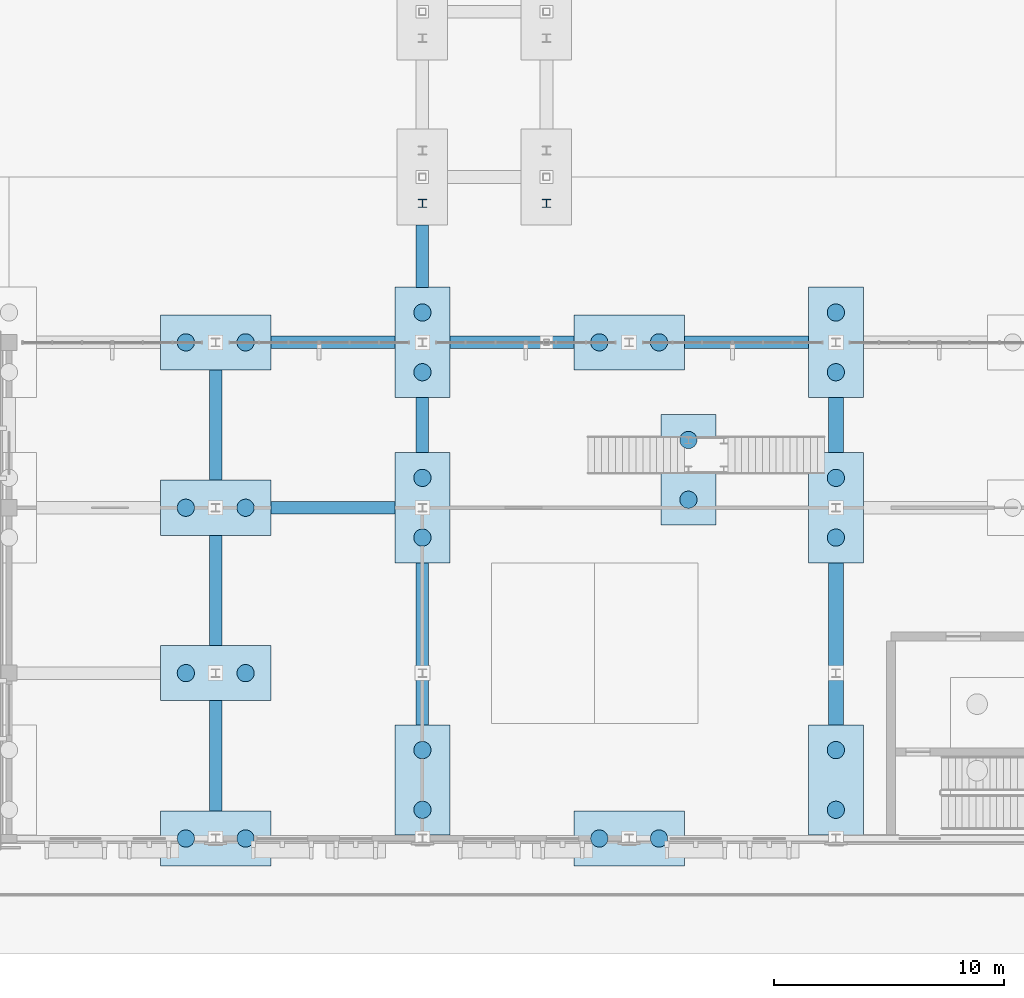
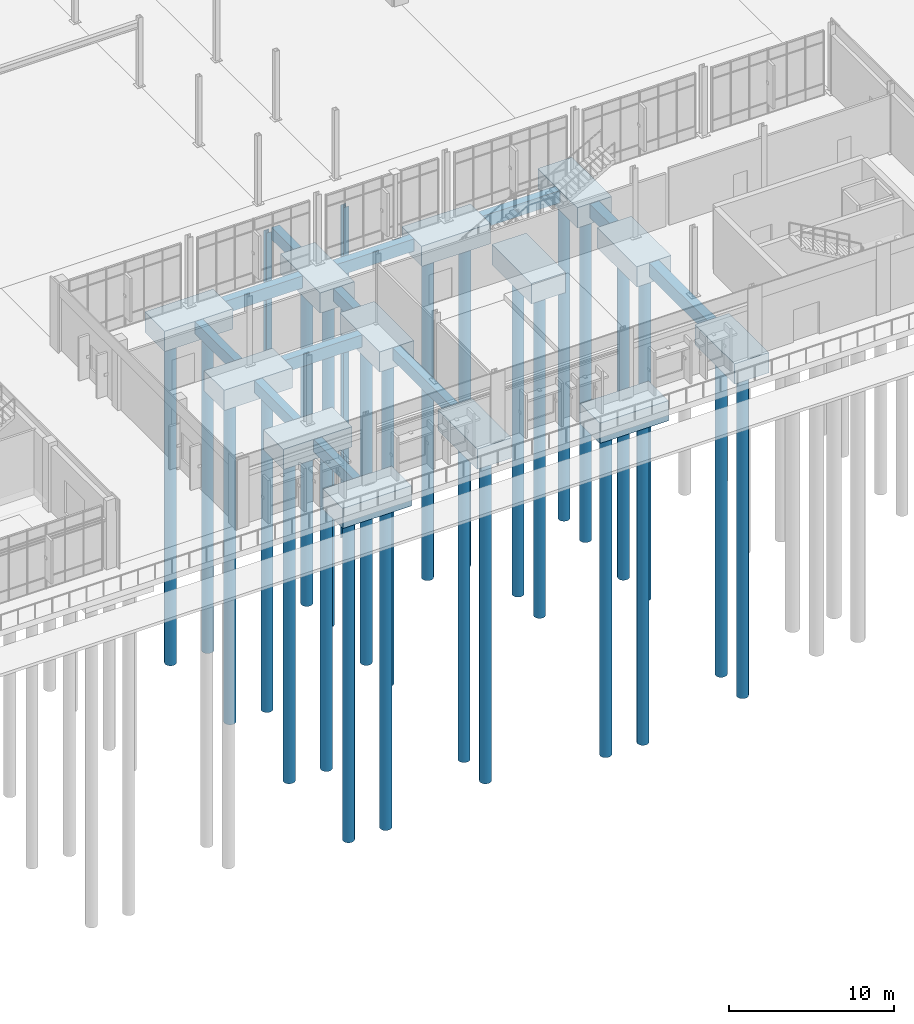
# One storey, part 4 of 94: 28 piles, 25 footings.
"""IFC4 building model written with IfcOpenShell, lengths in metres."""

from ifc_helpers import new_model, si_unit, direction, frame, origin, origin_2d, place, context, subcontext, project, spatial, rectangle, circle, i_section, extrude, material, material_profile, profile_set, type_object, element, save


model = new_model("IFC4")

# Units and contexts
model_context = context("Model", 3, precision=1e-05, world=origin(), true_north=direction((0.0, 1.0)))
body_context = subcontext(model_context, "Body", "Model", "MODEL_VIEW")
ifc_project = project(units=[si_unit("LENGTHUNIT", "METRE"), si_unit("AREAUNIT", "SQUARE_METRE"), si_unit("VOLUMEUNIT", "CUBIC_METRE"), si_unit("PLANEANGLEUNIT", "RADIAN"), si_unit("MASSUNIT", "GRAM", prefix="KILO")], contexts=[model_context])

# Site, building, storey
site_placement = place(None, origin())
site = spatial("IfcSite", under=ifc_project, at=site_placement, CompositionType="ELEMENT")
building_placement = place(site_placement, origin())
building = spatial("IfcBuilding", under=site, at=building_placement, Name="Vervanel Yard Central Library", CompositionType="ELEMENT")
storey_placement = place(building_placement, origin())
storey = spatial("IfcBuildingStorey", under=building, at=storey_placement, Name="L00", CompositionType="ELEMENT", Elevation=0.0)

# Piles
ifc_material_1 = material(Name="Concrete C40/50", Category="concrete")
ifc_material_profile_1 = material_profile(ifc_material_1, circle(Radius=0.375, at=origin_2d()), Name="BP D750", Category="concrete")
ifc_profile_set_1 = profile_set([ifc_material_profile_1], Name="Concrete C40/50")
pile_type_1 = type_object("IfcPileType", Name="Bored Concrete Pile D750", PredefinedType="BORED", material=ifc_profile_set_1)
for number, where, z_axis, x_axis, name in (
    (1, (72.0, 1.25, -1.75), (0.0, 0.0, -1.0), (1.0, 0.0, 0.0), "Bored Concrete Pile 491 under PCAP-143"),
    (2, (72.0, 3.85009765625, -1.75), (0.0, 0.0, -1.0), (1.0, 0.0, 0.0), "Bored Concrete Pile 492 under PCAP-143"),
    (3, (72.0, 13.10009765625, -1.75), (0.0, 0.0, -1.0), (1.0, 0.0, 0.0), "Bored Concrete Pile 493 under PCAP-144"),
    (4, (72.0, 15.699951171875, -1.75), (0.0, 0.0, -1.0), (1.0, 0.0, 0.0), "Bored Concrete Pile 494 under PCAP-144"),
    (5, (72.0, 20.300048828125, -1.75), (0.0, 0.0, -1.0), (1.0, 0.0, 0.0), "Bored Concrete Pile 495 under PCAP-145"),
    (6, (72.0, 22.89990234375, -1.75), (0.0, 0.0, -1.0), (1.0, 0.0, 0.0), "Bored Concrete Pile 496 under PCAP-145"),
    (7, (83.580078125, 14.75, -1.75), (0.0, 0.0, -1.0), (1.0, 0.0, 0.0), "Bored Concrete Pile 497 under PCAP-146"),
    (8, (83.580078125, 17.35009765625, -1.75), (0.0, 0.0, -1.0), (1.0, 0.0, 0.0), "Bored Concrete Pile 498 under PCAP-146"),
    (9, (90.0, 1.25, -1.75), (0.0, 0.0, -1.0), (1.0, 0.0, 0.0), "Bored Concrete Pile 499 under PCAP-147"),
    (10, (90.0, 3.85009765625, -1.75), (0.0, 0.0, -1.0), (1.0, 0.0, 0.0), "Bored Concrete Pile 500 under PCAP-147"),
    (11, (90.0, 13.10009765625, -1.75), (0.0, 0.0, -1.0), (1.0, 0.0, 0.0), "Bored Concrete Pile 501 under PCAP-148"),
    (12, (90.0, 15.699951171875, -1.75), (0.0, 0.0, -1.0), (1.0, 0.0, 0.0), "Bored Concrete Pile 502 under PCAP-148"),
    (13, (90.0, 20.300048828125, -1.75), (0.0, 0.0, -1.0), (1.0, 0.0, 0.0), "Bored Concrete Pile 503 under PCAP-149"),
    (14, (90.0, 22.89990234375, -1.75), (0.0, 0.0, -1.0), (1.0, 0.0, 0.0), "Bored Concrete Pile 504 under PCAP-149"),
    (15, (61.699951171875, 0.0, -1.75), (0.0, 0.0, -1.0), (1.0, 0.0, 0.0), "Bored Concrete Pile 585 under PCAP-190"),
    (16, (64.300048828125, 0.0, -1.75), (0.0, 0.0, -1.0), (1.0, 0.0, 0.0), "Bored Concrete Pile 586 under PCAP-190"),
    (17, (61.699951171875, 7.199951171875, -1.75), (0.0, 0.0, -1.0), (1.0, 0.0, 0.0), "Bored Concrete Pile 587 under PCAP-191"),
    (18, (64.300048828125, 7.199951171875, -1.75), (0.0, 0.0, -1.0), (1.0, 0.0, 0.0), "Bored Concrete Pile 588 under PCAP-191"),
    (19, (61.699951171875, 14.39990234375, -1.75), (0.0, 0.0, -1.0), (1.0, 0.0, 0.0), "Bored Concrete Pile 589 under PCAP-192"),
    (20, (64.300048828125, 14.39990234375, -1.75), (0.0, 0.0, -1.0), (1.0, 0.0, 0.0), "Bored Concrete Pile 590 under PCAP-192"),
    (21, (61.699951171875, 21.60009765625, -1.75), (0.0, 0.0, -1.0), (1.0, 0.0, 0.0), "Bored Concrete Pile 591 under PCAP-193"),
    (22, (64.300048828125, 21.60009765625, -1.75), (0.0, 0.0, -1.0), (1.0, 0.0, 0.0), "Bored Concrete Pile 592 under PCAP-193"),
    (23, (79.699951171875, 0.0, -1.75), (0.0, 0.0, -1.0), (1.0, 0.0, 0.0), "Bored Concrete Pile 593 under PCAP-194"),
    (24, (82.300048828125, 0.0, -1.75), (0.0, 0.0, -1.0), (1.0, 0.0, 0.0), "Bored Concrete Pile 594 under PCAP-194"),
    (25, (79.699951171875, 21.60009765625, -1.75), (0.0, 0.0, -1.0), (1.0, 0.0, 0.0), "Bored Concrete Pile 595 under PCAP-195"),
    (26, (82.300048828125, 21.60009765625, -1.75), (0.0, 0.0, -1.0), (1.0, 0.0, 0.0), "Bored Concrete Pile 596 under PCAP-195"),
):
    element("IfcPile", number, at=place(storey_placement, frame(where, z_axis=z_axis, x_axis=x_axis)), inside=storey, type_object=pile_type_1, Name=name, PredefinedType="BORED", context=body_context, shape_type="SweptSolid", body=[
        extrude(circle(Radius=0.375, at=origin_2d()), origin(), (0.0, 0.0, 1.0), 24.25),
    ])

# Footings
footing_type_1 = type_object("IfcFootingType", Name="Combined 2-Pile Cap 2400x4800x1500", PredefinedType="PILE_CAP", material=ifc_material_1)
for number, where, z_axis, x_axis, name in (
    (27, (72.0, 2.550048828125, -1.89990234375), (0.0, 0.0, 1.0), (1.0, 0.0, 0.0), "Combined Pile Cap PCAP-143 (PC-01)"),
    (28, (72.0, 14.39990234375, -1.89990234375), (0.0, 0.0, 1.0), (1.0, 0.0, 0.0), "Combined Pile Cap PCAP-144 (PC-01)"),
    (29, (72.0, 21.60009765625, -1.89990234375), (0.0, 0.0, 1.0), (1.0, 0.0, 0.0), "Combined Pile Cap PCAP-145 (PC-01)"),
    (30, (83.580078125, 16.050048828125, -1.89990234375), (0.0, 0.0, 1.0), (1.0, 0.0, 0.0), "Combined Pile Cap PCAP-146 (PC-01)"),
    (31, (90.0, 2.550048828125, -1.89990234375), (0.0, 0.0, 1.0), (1.0, 0.0, 0.0), "Combined Pile Cap PCAP-147 (PC-01)"),
    (32, (90.0, 14.39990234375, -1.89990234375), (0.0, 0.0, 1.0), (1.0, 0.0, 0.0), "Combined Pile Cap PCAP-148 (PC-01)"),
    (33, (90.0, 21.60009765625, -1.89990234375), (0.0, 0.0, 1.0), (1.0, 0.0, 0.0), "Combined Pile Cap PCAP-149 (PC-01)"),
):
    element("IfcFooting", number, at=place(storey_placement, frame(where, z_axis=z_axis, x_axis=x_axis)), inside=storey, type_object=footing_type_1, Name=name, PredefinedType="PILE_CAP", context=body_context, shape_type="SweptSolid", body=[
        extrude(rectangle(XDim=2.39990234375, YDim=4.800048828125, at=origin_2d()), origin(), (0.0, 0.0, 1.0), 1.5),
    ])
footing_type_2 = type_object("IfcFootingType", Name="Combined 2-Pile Cap 4800x2400x1500", PredefinedType="PILE_CAP", material=ifc_material_1)
for number, where, z_axis, x_axis, name in (
    (34, (63.0, 0.0, -1.89990234375), (0.0, 0.0, 1.0), (1.0, 0.0, 0.0), "Combined Pile Cap PCAP-190 (PC-02)"),
    (35, (63.0, 7.199951171875, -1.89990234375), (0.0, 0.0, 1.0), (1.0, 0.0, 0.0), "Combined Pile Cap PCAP-191 (PC-02)"),
    (36, (63.0, 14.39990234375, -1.89990234375), (0.0, 0.0, 1.0), (1.0, 0.0, 0.0), "Combined Pile Cap PCAP-192 (PC-02)"),
    (37, (63.0, 21.60009765625, -1.89990234375), (0.0, 0.0, 1.0), (1.0, 0.0, 0.0), "Combined Pile Cap PCAP-193 (PC-02)"),
    (38, (81.0, 0.0, -1.89990234375), (0.0, 0.0, 1.0), (1.0, 0.0, 0.0), "Combined Pile Cap PCAP-194 (PC-02)"),
    (39, (81.0, 21.60009765625, -1.89990234375), (0.0, 0.0, 1.0), (1.0, 0.0, 0.0), "Combined Pile Cap PCAP-195 (PC-02)"),
):
    element("IfcFooting", number, at=place(storey_placement, frame(where, z_axis=z_axis, x_axis=x_axis)), inside=storey, type_object=footing_type_2, Name=name, PredefinedType="PILE_CAP", context=body_context, shape_type="SweptSolid", body=[
        extrude(rectangle(XDim=4.800048828125, YDim=2.39990234375, at=origin_2d()), origin(), (0.0, 0.0, 1.0), 1.5),
    ])
ifc_material_profile_2 = material_profile(ifc_material_1, rectangle(XDim=0.550048828125, YDim=0.89990234375, at=origin_2d()), Name="RC 550x900", Category="concrete")
ifc_profile_set_2 = profile_set([ifc_material_profile_2], Name="Concrete C40/50")
footing_type_3 = type_object("IfcFootingType", Name="Concrete Footing Beam 550x900", PredefinedType="FOOTING_BEAM", material=ifc_profile_set_2)
for number, where, z_axis, x_axis, name in (
    (40, (65.39990234375, 14.39990234375, -0.8701171875), (1.0, 0.0, 0.0), (0.0, 1.0, 0.0), "Concrete Footing Beam FB-X-011"),
    (41, (65.39990234375, 21.60009765625, -0.8701171875), (1.0, 0.0, 0.0), (0.0, 1.0, 0.0), "Concrete Footing Beam FB-X-022"),
    (42, (73.199951171875, 21.60009765625, -0.8701171875), (1.0, 0.0, 0.0), (0.0, 1.0, 0.0), "Concrete Footing Beam FB-X-023"),
    (43, (83.39990234375, 21.60009765625, -0.8701171875), (1.0, 0.0, 0.0), (0.0, 1.0, 0.0), "Concrete Footing Beam FB-X-024"),
):
    element("IfcFooting", number, at=place(storey_placement, frame(where, z_axis=z_axis, x_axis=x_axis)), inside=storey, type_object=footing_type_3, Name=name, PredefinedType="FOOTING_BEAM", context=body_context, shape_type="SweptSolid", body=[
        extrude(rectangle(XDim=0.550048828125, YDim=0.89990234375, at=origin_2d()), origin(), (0.0, 0.0, 1.0), 5.400146484375),
    ])
for number, where, z_axis, x_axis, name in (
    (44, (63.0, 1.199951171875, -0.8701171875), (0.0, 1.0, 0.0), (-1.0, 0.0, 0.0), "Concrete Footing Beam FB-Y-207"),
    (45, (63.0, 8.39990234375, -0.8701171875), (0.0, 1.0, 0.0), (-1.0, 0.0, 0.0), "Concrete Footing Beam FB-Y-208"),
):
    element("IfcFooting", number, at=place(storey_placement, frame(where, z_axis=z_axis, x_axis=x_axis)), inside=storey, type_object=footing_type_3, Name=name, PredefinedType="FOOTING_BEAM", context=body_context, shape_type="SweptSolid", body=[
        extrude(rectangle(XDim=0.550048828125, YDim=0.89990234375, at=origin_2d()), origin(), (0.0, 0.0, 1.0), 4.800048828125),
    ])
footing_1_placement = place(storey_placement, frame((63.0, 15.60009765625, -0.8701171875), z_axis=(0.0, 1.0, 0.0), x_axis=(-1.0, 0.0, 0.0)))
element("IfcFooting", 46, at=footing_1_placement, inside=storey, type_object=footing_type_3, Name="Concrete Footing Beam FB-Y-209", PredefinedType="FOOTING_BEAM", context=body_context, shape_type="SweptSolid", body=[
    extrude(rectangle(XDim=0.550048828125, YDim=0.89990234375, at=origin_2d()), origin(), (0.0, 0.0, 1.0), 4.7998046875),
])
footing_2_placement = place(storey_placement, frame((72.0, 4.949951171875, -0.8701171875), z_axis=(0.0, 1.0, 0.0), x_axis=(-1.0, 0.0, 0.0)))
element("IfcFooting", 47, at=footing_2_placement, inside=storey, type_object=footing_type_3, Name="Concrete Footing Beam FB-Y-213", PredefinedType="FOOTING_BEAM", context=body_context, shape_type="SweptSolid", body=[
    extrude(rectangle(XDim=0.550048828125, YDim=0.89990234375, at=origin_2d()), origin(), (0.0, 0.0, 1.0), 7.050048828125),
])
footing_3_placement = place(storey_placement, frame((72.0, 16.800048828125, -0.8701171875), z_axis=(0.0, 1.0, 0.0), x_axis=(-1.0, 0.0, 0.0)))
element("IfcFooting", 48, at=footing_3_placement, inside=storey, type_object=footing_type_3, Name="Concrete Footing Beam FB-Y-214", PredefinedType="FOOTING_BEAM", context=body_context, shape_type="SweptSolid", body=[
    extrude(rectangle(XDim=0.550048828125, YDim=0.89990234375, at=origin_2d()), origin(), (0.0, 0.0, 1.0), 2.39990234375),
])
footing_4_placement = place(storey_placement, frame((72.0, 24.0, -0.8701171875), z_axis=(0.0, 1.0, 0.0), x_axis=(-1.0, 0.0, 0.0)))
element("IfcFooting", 49, at=footing_4_placement, inside=storey, type_object=footing_type_3, Name="Concrete Footing Beam FB-Y-215", PredefinedType="FOOTING_BEAM", context=body_context, shape_type="SweptSolid", body=[
    extrude(rectangle(XDim=0.550048828125, YDim=0.89990234375, at=origin_2d()), origin(), (0.0, 0.0, 1.0), 2.699951171875),
])
ifc_material_profile_3 = material_profile(ifc_material_1, rectangle(XDim=0.64990234375, YDim=1.0, at=origin_2d()), Name="RC 650x1000", Category="concrete")
ifc_profile_set_3 = profile_set([ifc_material_profile_3], Name="Concrete C40/50")
footing_type_4 = type_object("IfcFootingType", Name="Concrete Footing Beam 650x1000", PredefinedType="FOOTING_BEAM", material=ifc_profile_set_3)
footing_5_placement = place(storey_placement, frame((90.0, 4.949951171875, -0.919921875), z_axis=(0.0, 1.0, 0.0), x_axis=(-1.0, 0.0, 0.0)))
element("IfcFooting", 50, at=footing_5_placement, inside=storey, type_object=footing_type_4, Name="Concrete Footing Beam FB-Y-234", PredefinedType="FOOTING_BEAM", context=body_context, shape_type="SweptSolid", body=[
    extrude(rectangle(XDim=0.64990234375, YDim=1.0, at=origin_2d()), origin(), (0.0, 0.0, 1.0), 7.050048828125),
])
footing_6_placement = place(storey_placement, frame((90.0, 16.800048828125, -0.919921875), z_axis=(0.0, 1.0, 0.0), x_axis=(-1.0, 0.0, 0.0)))
element("IfcFooting", 51, at=footing_6_placement, inside=storey, type_object=footing_type_4, Name="Concrete Footing Beam FB-Y-235", PredefinedType="FOOTING_BEAM", context=body_context, shape_type="SweptSolid", body=[
    extrude(rectangle(XDim=0.64990234375, YDim=1.0, at=origin_2d()), origin(), (0.0, 0.0, 1.0), 2.39990234375),
])

# Piles
ifc_material_2 = material(Name="Steel ASTM A992 Grade 50", Category="steel")
ifc_material_profile_4 = material_profile(ifc_material_2, i_section(OverallWidth=0.373291015625, OverallDepth=0.3505859375, WebThickness=0.015625, FlangeThickness=0.015625, at=origin_2d()), Name="HP14X89", Category="steel")
ifc_profile_set_4 = profile_set([ifc_material_profile_4], Name="Steel ASTM A992 Grade 50")
pile_type_2 = type_object("IfcPileType", Name="Driven Steel H-Pile HP14X89", PredefinedType="DRIVEN", material=ifc_profile_set_4)
for number, where, z_axis, x_axis, name in (
    (52, (72.0, 27.64990234375, -26.0), (0.0, 0.0, 1.0), (1.0, 0.0, 0.0), "Driven Steel Pile 611 under PCAP-203"),
    (53, (77.39990234375, 27.64990234375, -26.0), (0.0, 0.0, 1.0), (1.0, 0.0, 0.0), "Driven Steel Pile 625 under PCAP-210"),
):
    element("IfcPile", number, at=place(storey_placement, frame(where, z_axis=z_axis, x_axis=x_axis)), inside=storey, type_object=pile_type_2, Name=name, PredefinedType="DRIVEN", context=body_context, shape_type="SweptSolid", body=[
        extrude(i_section(OverallWidth=0.373291015625, OverallDepth=0.3505859375, WebThickness=0.015625, FlangeThickness=0.015625, at=origin_2d()), origin(), (0.0, 0.0, 1.0), 24.64599609375),
    ])

save(model, "model.ifc")
